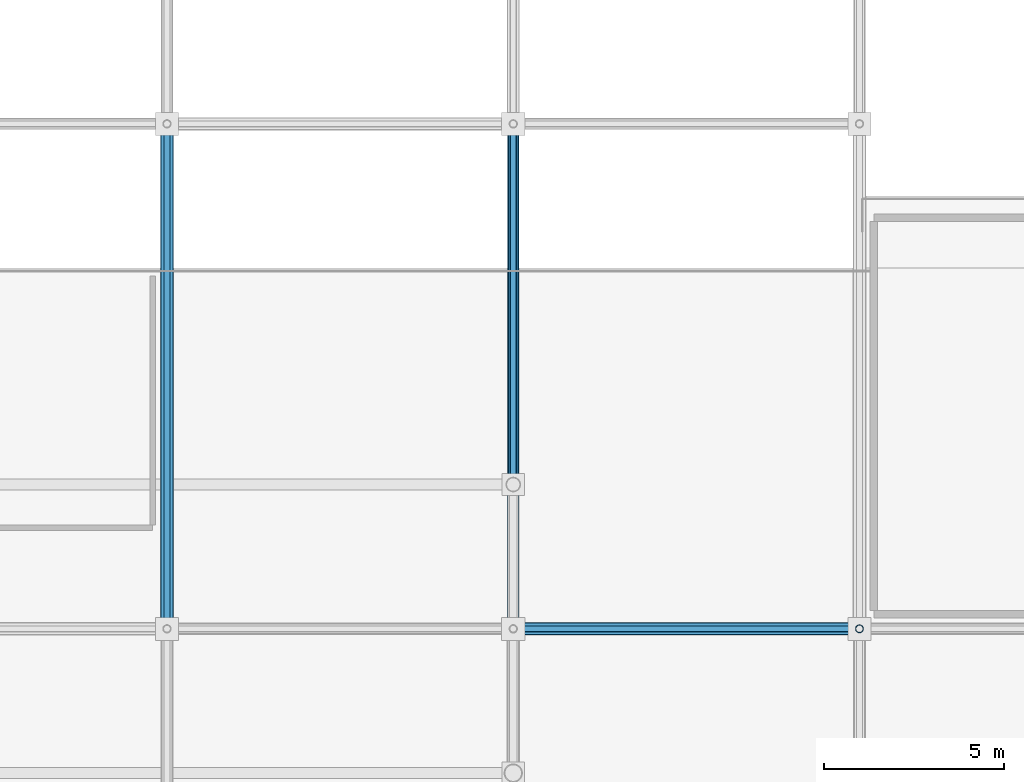
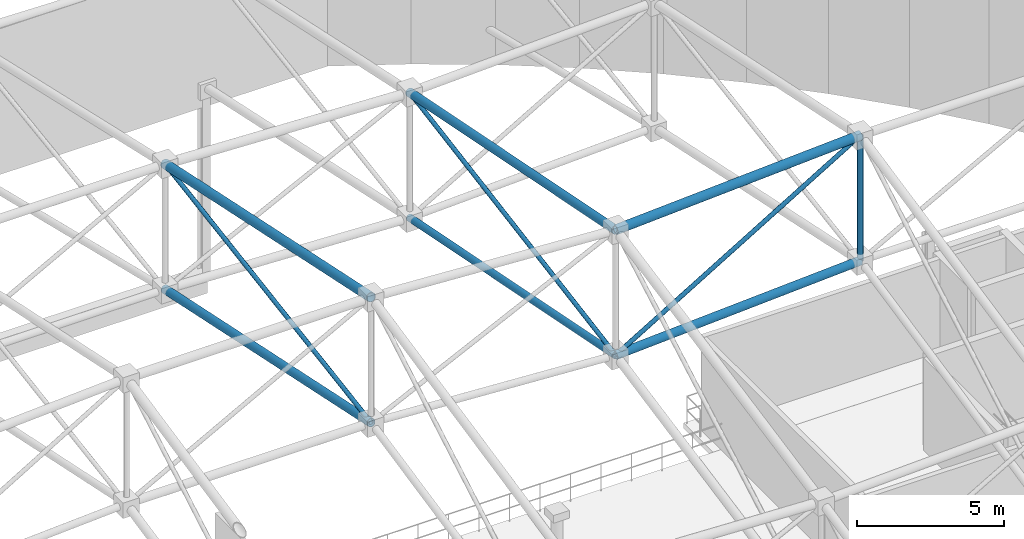
# One storey, part 111 of 193: 10 members.
"""IFC4 building model written with IfcOpenShell, lengths in metres."""

from ifc_helpers import new_model, si_unit, direction, frame, origin, origin_2d, place, context, subcontext, project, spatial, hollow_circle, extrude, material, material_profile, profile_set, type_object, element, save


model = new_model("IFC4")

# Units and contexts
model_context = context("Model", 3, precision=1e-05, world=origin(), true_north=direction((0.0, 1.0)))
body_context = subcontext(model_context, "Body", "Model", "MODEL_VIEW")
ifc_project = project(units=[si_unit("LENGTHUNIT", "METRE"), si_unit("AREAUNIT", "SQUARE_METRE"), si_unit("VOLUMEUNIT", "CUBIC_METRE"), si_unit("PLANEANGLEUNIT", "RADIAN"), si_unit("MASSUNIT", "GRAM", prefix="KILO")], contexts=[model_context])

# Site, building, storey
site_placement = place(None, origin())
site = spatial("IfcSite", under=ifc_project, at=site_placement, CompositionType="ELEMENT")
building_placement = place(site_placement, origin())
building = spatial("IfcBuilding", under=site, at=building_placement, Name="Danafjord Basin Convention Centre", CompositionType="ELEMENT")
storey_placement = place(building_placement, frame((0.0, 0.0, 11.39990234375)))
storey = spatial("IfcBuildingStorey", under=building, at=storey_placement, Name="L02", CompositionType="ELEMENT", Elevation=11.39990234375)

# Members
ifc_material = material(Name="Steel S355", Category="steel")
ifc_material_profile_1 = material_profile(ifc_material, hollow_circle(Radius=0.136474609375, WallThickness=0.012451171875, at=origin_2d()), Name="CHS 273.0x12.5")
ifc_profile_set_1 = profile_set([ifc_material_profile_1], Name="Steel S355")
member_type_1 = type_object("IfcMemberType", Name="MEM-CH-CHS273", PredefinedType="CHORD", material=ifc_profile_set_1)
member_1_placement = place(storey_placement, frame((172.800048828125, 116.0, 13.4501953125), z_axis=(0.0, 0.980793234721, -0.195050328696), x_axis=(-1.0, 0.0, 0.0)))
element("IfcMember", 1, at=member_1_placement, inside=storey, type_object=member_type_1, Name="V2 roof truss transverse bottom chord", PredefinedType="CHORD", context=body_context, shape_type="SweptSolid", body=[
    extrude(hollow_circle(Radius=0.136474609375, WallThickness=0.012451171875, at=origin_2d()), origin(), (0.0, 0.0, 1.0), 14.274169921875),
])
ifc_material_profile_2 = material_profile(ifc_material, hollow_circle(Radius=0.161865234375, WallThickness=0.01611328125, at=origin_2d()), Name="CHS 323.9x16.0")
ifc_profile_set_2 = profile_set([ifc_material_profile_2], Name="Steel S355")
member_type_2 = type_object("IfcMemberType", Name="MEM-CH-CHS324", PredefinedType="CHORD", material=ifc_profile_set_2)
member_2_placement = place(storey_placement, frame((163.199951171875, 116.0, 14.0126953125), z_axis=(0.0, 0.978472048473, -0.206379384526), x_axis=(-1.0, 0.0, 0.0)))
element("IfcMember", 2, at=member_2_placement, inside=storey, type_object=member_type_2, Name="V2 roof truss transverse bottom chord", PredefinedType="CHORD", context=body_context, shape_type="SweptSolid", body=[
    extrude(hollow_circle(Radius=0.161865234375, WallThickness=0.01611328125, at=origin_2d()), origin(), (0.0, 0.0, 1.0), 14.30810546875),
])
member_3_placement = place(storey_placement, frame((172.800048828125, 116.0, 13.4501953125), z_axis=(0.998287741647, 0.0, 0.058494314915), x_axis=(0.0, 1.0, 0.0)))
element("IfcMember", 3, at=member_3_placement, inside=storey, type_object=member_type_2, Name="V2 roof truss longitudinal bottom chord", PredefinedType="CHORD", context=body_context, shape_type="SweptSolid", body=[
    extrude(hollow_circle(Radius=0.161865234375, WallThickness=0.01611328125, at=origin_2d()), origin(), (0.0, 0.0, 1.0), 9.6162109375),
])
member_4_placement = place(storey_placement, frame((172.800048828125, 116.0, 18.650146484375), z_axis=(0.0, 0.980796506597, -0.19503387564), x_axis=(-1.0, 0.0, 0.0)))
element("IfcMember", 4, at=member_4_placement, inside=storey, type_object=member_type_2, Name="V2 roof truss transverse top chord", PredefinedType="CHORD", context=body_context, shape_type="SweptSolid", body=[
    extrude(hollow_circle(Radius=0.161865234375, WallThickness=0.01611328125, at=origin_2d()), origin(), (0.0, 0.0, 1.0), 14.274169921875),
])
ifc_material_profile_3 = material_profile(ifc_material, hollow_circle(Radius=0.177734375, WallThickness=0.01611328125, at=origin_2d()), Name="CHS 355.6x16.0")
ifc_profile_set_3 = profile_set([ifc_material_profile_3], Name="Steel S355")
member_type_3 = type_object("IfcMemberType", Name="MEM-CH-CHS355", PredefinedType="CHORD", material=ifc_profile_set_3)
member_5_placement = place(storey_placement, frame((163.199951171875, 116.0, 19.212646484375), z_axis=(0.0, 0.978472048473, -0.206379384526), x_axis=(-1.0, 0.0, 0.0)))
element("IfcMember", 5, at=member_5_placement, inside=storey, type_object=member_type_3, Name="V2 roof truss transverse top chord", PredefinedType="CHORD", context=body_context, shape_type="SweptSolid", body=[
    extrude(hollow_circle(Radius=0.177734375, WallThickness=0.01611328125, at=origin_2d()), origin(), (0.0, 0.0, 1.0), 14.30810546875),
])
member_6_placement = place(storey_placement, frame((172.800048828125, 116.0, 18.650146484375), z_axis=(0.998287741647, 0.0, 0.058494314915), x_axis=(0.0, 1.0, 0.0)))
element("IfcMember", 6, at=member_6_placement, inside=storey, type_object=member_type_3, Name="V2 roof truss longitudinal top chord", PredefinedType="CHORD", context=body_context, shape_type="SweptSolid", body=[
    extrude(hollow_circle(Radius=0.177734375, WallThickness=0.01611328125, at=origin_2d()), origin(), (0.0, 0.0, 1.0), 9.6162109375),
])
ifc_material_profile_4 = material_profile(ifc_material, hollow_circle(Radius=0.109619140625, WallThickness=0.010009765625, at=origin_2d()), Name="CHS 219.1x10.0")
ifc_profile_set_4 = profile_set([ifc_material_profile_4], Name="Steel S355")
member_type_4 = type_object("IfcMemberType", Name="MEM-ST-CHS219", PredefinedType="STRUT", material=ifc_profile_set_4)
member_7_placement = place(storey_placement, frame((182.39990234375, 116.0, 14.0126953125), z_axis=(0.0, 0.0, 1.0), x_axis=(1.0, 0.0, 0.0)))
element("IfcMember", 7, at=member_7_placement, inside=storey, type_object=member_type_4, Name="V2 roof truss vertical strut", PredefinedType="STRUT", context=body_context, shape_type="SweptSolid", body=[
    extrude(hollow_circle(Radius=0.109619140625, WallThickness=0.010009765625, at=origin_2d()), origin(), (0.0, 0.0, 1.0), 5.199951171875),
])
ifc_material_profile_5 = material_profile(ifc_material, hollow_circle(Radius=0.084228515625, WallThickness=0.008056640625, at=origin_2d()), Name="CHS 168.3x8.0")
ifc_profile_set_5 = profile_set([ifc_material_profile_5], Name="Steel S355")
member_type_5 = type_object("IfcMemberType", Name="MEM-WB-CHS168", PredefinedType="MEMBER", material=ifc_profile_set_5)
member_8_placement = place(storey_placement, frame((163.199951171875, 116.0, 14.0126953125), z_axis=(0.0, 0.987362721236, 0.158476675611), x_axis=(-1.0, 0.0, 0.0)))
element("IfcMember", 8, at=member_8_placement, inside=storey, type_object=member_type_5, Name="V2 space-frame transverse web", PredefinedType="MEMBER", context=body_context, shape_type="SweptSolid", body=[
    extrude(hollow_circle(Radius=0.084228515625, WallThickness=0.008056640625, at=origin_2d()), origin(), (0.0, 0.0, 1.0), 14.17919921875),
])
member_9_placement = place(storey_placement, frame((172.800048828125, 116.0, 13.4501953125), z_axis=(0.85739286321, 0.0, 0.514662489518), x_axis=(0.0, 1.0, 0.0)))
element("IfcMember", 9, at=member_9_placement, inside=storey, type_object=member_type_5, Name="V2 space-frame longitudinal web", PredefinedType="MEMBER", context=body_context, shape_type="SweptSolid", body=[
    extrude(hollow_circle(Radius=0.084228515625, WallThickness=0.008056640625, at=origin_2d()), origin(), (0.0, 0.0, 1.0), 11.196533203125),
])
member_10_placement = place(storey_placement, frame((172.800048828125, 116.0, 13.4501953125), z_axis=(0.0, 0.985433910412, 0.170058837497), x_axis=(-1.0, 0.0, 0.0)))
element("IfcMember", 10, at=member_10_placement, inside=storey, type_object=member_type_5, Name="V2 space-frame transverse web", PredefinedType="MEMBER", context=body_context, shape_type="SweptSolid", body=[
    extrude(hollow_circle(Radius=0.084228515625, WallThickness=0.008056640625, at=origin_2d()), origin(), (0.0, 0.0, 1.0), 14.20703125),
])

save(model, "model.ifc")
